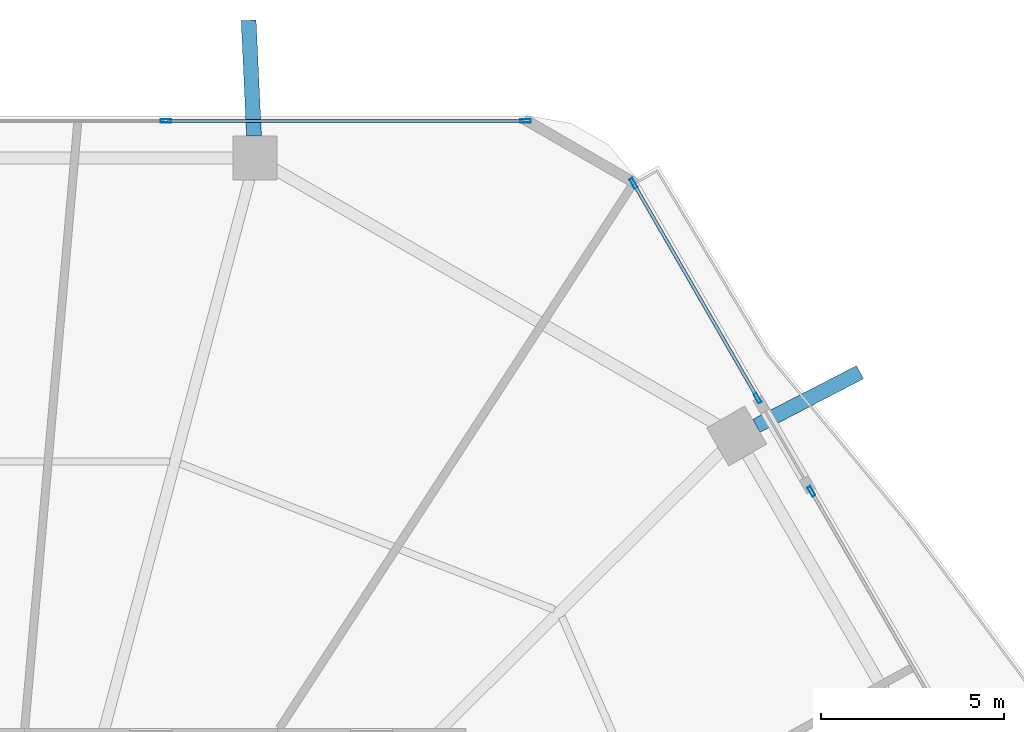
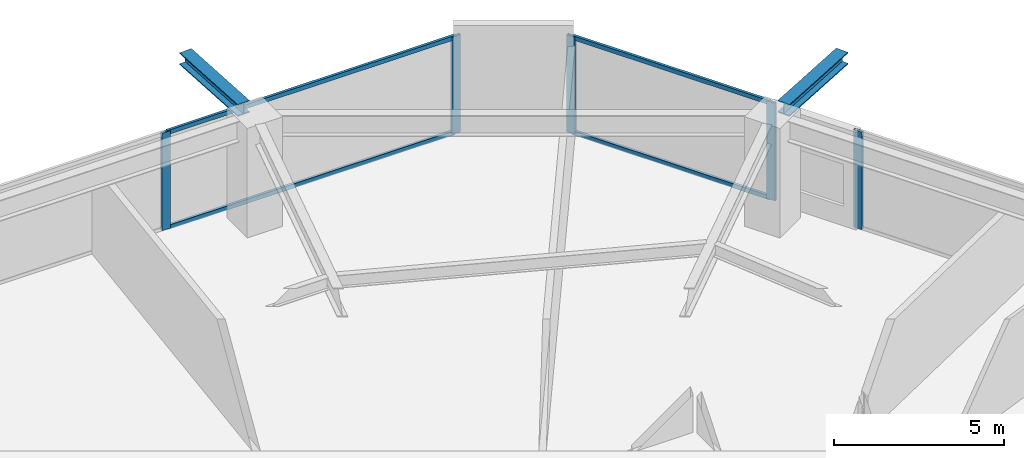
# One storey, part 19 of 27: 9 members, 2 beams, 3 elements without a shape of their own.
"""IFC4 building model written with IfcOpenShell, lengths in metres."""

from ifc_helpers import new_model, si_unit, direction, frame, origin, origin_2d, place, context, subcontext, project, spatial, hollow_rectangle, i_section, extrude, material, material_profile, profile_set, type_object, element, aggregate, save


model = new_model("IFC4")

# Units and contexts
model_context = context("Model", 3, precision=1e-05, world=origin(), true_north=direction((0.0, 1.0)))
body_context = subcontext(model_context, "Body", "Model", "MODEL_VIEW")
ifc_project = project(units=[si_unit("LENGTHUNIT", "METRE"), si_unit("AREAUNIT", "SQUARE_METRE"), si_unit("VOLUMEUNIT", "CUBIC_METRE"), si_unit("PLANEANGLEUNIT", "RADIAN"), si_unit("MASSUNIT", "GRAM", prefix="KILO")], contexts=[model_context])

# Site, building, storey
site_placement = place(None, origin())
site = spatial("IfcSite", under=ifc_project, at=site_placement, CompositionType="ELEMENT")
building_placement = place(site_placement, origin())
building = spatial("IfcBuilding", under=site, at=building_placement, Name="Zuhravey Tower", CompositionType="ELEMENT")
storey_placement = place(building_placement, frame((0.0, 0.0, 12.0)))
storey = spatial("IfcBuildingStorey", under=building, at=storey_placement, Name="L03", CompositionType="ELEMENT", Elevation=12.0)

# Curtain wall, members
ifc_material_1 = material(Name="Thermally broken anodised aluminium", Category="aluminium")
curtain_wall_type = type_object("IfcCurtainWallType", Name="School Low-E Unitised Curtain Wall CW1", PredefinedType="NOTDEFINED", material=ifc_material_1)
curtain_wall_1_placement = place(storey_placement, origin())
curtain_wall_1 = element("IfcCurtainWall", 1, at=curtain_wall_1_placement, inside=storey, type_object=curtain_wall_type, Name="L03 CW1 CW-L03-F2-1", PredefinedType="NOTDEFINED")
ifc_material_2 = material(Name="Anodised aluminium", Category="aluminium")
ifc_material_profile_1 = material_profile(ifc_material_2, hollow_rectangle(XDim=0.090087890625, YDim=0.284912109375, WallThickness=0.0048828125, at=origin_2d()), Name="ALU-RHS-90x285x5")
ifc_profile_set_1 = profile_set([ifc_material_profile_1], Name="Anodised aluminium")
member_type_1 = type_object("IfcMemberType", Name="Curtain-Wall Mullion 90x180", PredefinedType="MULLION", material=ifc_profile_set_1)
member_1_placement = place(storey_placement, frame((40.93310546875, 60.95849609375, 0.0), z_axis=(0.0, 0.0, 1.0), x_axis=(0.0, 1.0, 0.0)))
member_1 = element("IfcMember", 2, at=member_1_placement, type_object=member_type_1, Name="CW1 mullion 3", PredefinedType="MULLION", context=body_context, shape_type="SweptSolid", body=[
    extrude(hollow_rectangle(XDim=0.090087890625, YDim=0.284912109375, WallThickness=0.0048828125, at=origin_2d()), origin(), (0.0, 0.0, 1.0), 3.491943359375),
])
member_2_placement = place(storey_placement, frame((50.75439453125, 60.95849609375, 0.0), z_axis=(0.0, 0.0, 1.0), x_axis=(0.0, 1.0, 0.0)))
member_2 = element("IfcMember", 3, at=member_2_placement, type_object=member_type_1, Name="CW1 mullion 4", PredefinedType="MULLION", context=body_context, shape_type="SweptSolid", body=[
    extrude(hollow_rectangle(XDim=0.090087890625, YDim=0.284912109375, WallThickness=0.0048828125, at=origin_2d()), origin(), (0.0, 0.0, 1.0), 3.491943359375),
])

curtain_wall_2_placement = place(storey_placement, origin())
curtain_wall_2 = element("IfcCurtainWall", 4, at=curtain_wall_2_placement, inside=storey, type_object=curtain_wall_type, Name="L03 CW1 CW-L03-F1-1", PredefinedType="NOTDEFINED")
member_3_placement = place(storey_placement, frame((53.701416015625, 59.257080078125, 0.0), z_axis=(0.0, 0.0, 1.0), x_axis=(0.866029558973, 0.499992802933, 0.0)))
member_3 = element("IfcMember", 5, at=member_3_placement, type_object=member_type_1, Name="CW1 mullion 1", PredefinedType="MULLION", context=body_context, shape_type="SweptSolid", body=[
    extrude(hollow_rectangle(XDim=0.090087890625, YDim=0.284912109375, WallThickness=0.0048828125, at=origin_2d()), origin(), (0.0, 0.0, 1.0), 3.491943359375),
])
member_4_placement = place(storey_placement, frame((57.087890625, 53.3916015625, 0.0), z_axis=(0.0, 0.0, 1.0), x_axis=(0.866029558973, 0.499992802933, 0.0)))
member_4 = element("IfcMember", 6, at=member_4_placement, type_object=member_type_1, Name="CW1 mullion 2", PredefinedType="MULLION", context=body_context, shape_type="SweptSolid", body=[
    extrude(hollow_rectangle(XDim=0.090087890625, YDim=0.284912109375, WallThickness=0.0048828125, at=origin_2d()), origin(), (0.0, 0.0, 1.0), 3.491943359375),
])

# Curtain wall, member
curtain_wall_3_placement = place(storey_placement, origin())
curtain_wall_3 = element("IfcCurtainWall", 7, at=curtain_wall_3_placement, inside=storey, type_object=curtain_wall_type, Name="L03 CW1 CW-L03-F1-2", PredefinedType="NOTDEFINED")
member_5_placement = place(storey_placement, frame((58.557861328125, 50.845703125, 0.0), z_axis=(0.0, 0.0, 1.0), x_axis=(0.866024203746, 0.500002078522, 0.0)))
member_5 = element("IfcMember", 8, at=member_5_placement, type_object=member_type_1, Name="CW1 mullion 1", PredefinedType="MULLION", context=body_context, shape_type="SweptSolid", body=[
    extrude(hollow_rectangle(XDim=0.090087890625, YDim=0.284912109375, WallThickness=0.0048828125, at=origin_2d()), origin(), (0.0, 0.0, 1.0), 3.491943359375),
])
aggregate(curtain_wall_3, [member_5])

# Member
ifc_material_profile_2 = material_profile(ifc_material_2, hollow_rectangle(XDim=0.090087890625, YDim=0.14990234375, WallThickness=0.0048828125, at=origin_2d()), Name="ALU-RHS-90x150x5")
ifc_profile_set_2 = profile_set([ifc_material_profile_2], Name="Anodised aluminium")
member_type_2 = type_object("IfcMemberType", Name="Curtain-Wall Transom 90x150", PredefinedType="USERDEFINED", material=ifc_profile_set_2)
member_6_placement = place(storey_placement, frame((40.978271484375, 60.95849609375, 0.044921875), z_axis=(1.0, 0.0, 0.0), x_axis=(0.0, 1.0, 0.0)))
member_6 = element("IfcMember", 9, at=member_6_placement, type_object=member_type_2, Name="CW1 transom 3.1", ObjectType="TRANSOM", PredefinedType="USERDEFINED", context=body_context, shape_type="SweptSolid", body=[
    extrude(hollow_rectangle(XDim=0.090087890625, YDim=0.14990234375, WallThickness=0.0048828125, at=origin_2d()), origin(), (0.0, 0.0, 1.0), 9.731201171875),
])

member_7_placement = place(storey_placement, frame((40.978271484375, 60.95849609375, 3.447021484375), z_axis=(1.0, 0.0, 0.0), x_axis=(0.0, 1.0, 0.0)))
member_7 = element("IfcMember", 10, at=member_7_placement, type_object=member_type_2, Name="CW1 transom 3.2", ObjectType="TRANSOM", PredefinedType="USERDEFINED", context=body_context, shape_type="SweptSolid", body=[
    extrude(hollow_rectangle(XDim=0.090087890625, YDim=0.14990234375, WallThickness=0.0048828125, at=origin_2d()), origin(), (0.0, 0.0, 1.0), 9.731201171875),
])

aggregate(curtain_wall_1, [member_1, member_2, member_6, member_7])

member_8_placement = place(storey_placement, frame((53.72412109375, 59.218017578125, 0.044921875), z_axis=(0.499970184224, -0.866042617247, 0.0), x_axis=(0.866042617247, 0.499970184224, 0.0)))
member_8 = element("IfcMember", 11, at=member_8_placement, type_object=member_type_2, Name="CW1 transom 1.1", ObjectType="TRANSOM", PredefinedType="USERDEFINED", context=body_context, shape_type="SweptSolid", body=[
    extrude(hollow_rectangle(XDim=0.090087890625, YDim=0.14990234375, WallThickness=0.0048828125, at=origin_2d()), origin(), (0.0, 0.0, 1.0), 6.6826171875),
])

member_9_placement = place(storey_placement, frame((53.72412109375, 59.218017578125, 3.447021484375), z_axis=(0.499970184224, -0.866042617247, 0.0), x_axis=(0.866042617247, 0.499970184224, 0.0)))
member_9 = element("IfcMember", 12, at=member_9_placement, type_object=member_type_2, Name="CW1 transom 1.2", ObjectType="TRANSOM", PredefinedType="USERDEFINED", context=body_context, shape_type="SweptSolid", body=[
    extrude(hollow_rectangle(XDim=0.090087890625, YDim=0.14990234375, WallThickness=0.0048828125, at=origin_2d()), origin(), (0.0, 0.0, 1.0), 6.6826171875),
])

aggregate(curtain_wall_2, [member_3, member_4, member_8, member_9])

# Beams
ifc_material_3 = material(Name="Steel SM460", Category="steel")
ifc_material_profile_3 = material_profile(ifc_material_3, i_section(OverallWidth=0.406982421875, OverallDepth=0.427978515625, WebThickness=0.02001953125, FlangeThickness=0.034912109375, at=origin_2d()), Name="H-428x407x20x35")
ifc_profile_set_3 = profile_set([ifc_material_profile_3], Name="Steel SM460")
beam_type = type_object("IfcBeamType", Name="Exoskeleton Node Tie Beam H428x407", PredefinedType="BEAM", material=ifc_profile_set_3)
beam_1_placement = place(storey_placement, frame((57.05615234375, 52.634521484375, 3.7060546875), z_axis=(0.888241375057, 0.459377034295, 0.0), x_axis=(-0.459377034295, 0.888241375057, 0.0)))
element("IfcBeam", 13, at=beam_1_placement, inside=storey, type_object=beam_type, Name="L03 Exoskeleton Node Tie NT1-02", PredefinedType="BEAM", context=body_context, shape_type="SweptSolid", body=[
    extrude(i_section(OverallWidth=0.406982421875, OverallDepth=0.427978515625, WebThickness=0.02001953125, FlangeThickness=0.034912109375, at=origin_2d()), origin(), (0.0, 0.0, 1.0), 3.1845703125),
])
beam_2_placement = place(storey_placement, frame((43.341796875, 60.552490234375, 3.7060546875), z_axis=(-0.046667932631, 0.998910458482, 0.0), x_axis=(-0.998910458482, -0.046667932631, 0.0)))
element("IfcBeam", 14, at=beam_2_placement, inside=storey, type_object=beam_type, Name="L03 Exoskeleton Node Tie NT1-03", PredefinedType="BEAM", context=body_context, shape_type="SweptSolid", body=[
    extrude(i_section(OverallWidth=0.406982421875, OverallDepth=0.427978515625, WebThickness=0.02001953125, FlangeThickness=0.034912109375, at=origin_2d()), origin(), (0.0, 0.0, 1.0), 3.154541015625),
])

save(model, "model.ifc")
